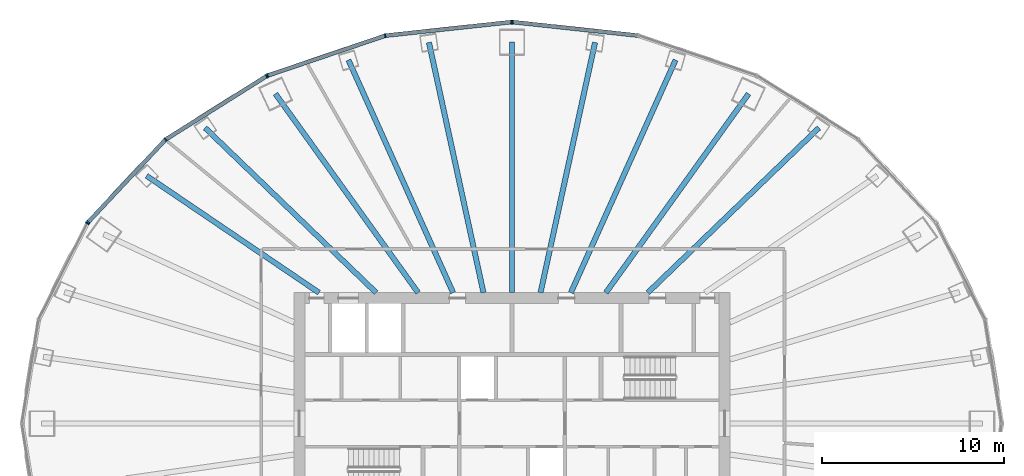
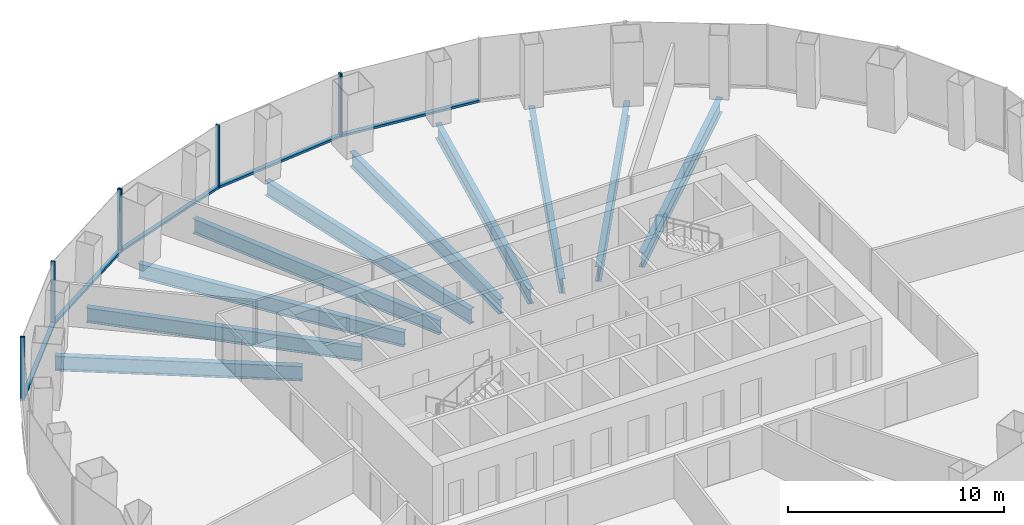
# One storey, part 5 of 11: 13 members, 10 beams, 4 elements without a shape of their own.
"""IFC4 building model written with IfcOpenShell, lengths in metres."""

from ifc_helpers import new_model, si_unit, direction, frame, origin, origin_2d, place, context, subcontext, project, spatial, rectangle, i_section, extrude, material, layer, layer_set, material_profile, profile_set, type_object, element, aggregate, save


model = new_model("IFC4")

# Units and contexts
model_context = context("Model", 3, precision=1e-05, world=origin(), true_north=direction((0.0, 1.0)))
body_context = subcontext(model_context, "Body", "Model", "MODEL_VIEW")
ifc_project = project(units=[si_unit("LENGTHUNIT", "METRE"), si_unit("AREAUNIT", "SQUARE_METRE"), si_unit("VOLUMEUNIT", "CUBIC_METRE"), si_unit("PLANEANGLEUNIT", "RADIAN"), si_unit("MASSUNIT", "GRAM", prefix="KILO")], contexts=[model_context])

# Site, building, storey
site_placement = place(None, origin())
site = spatial("IfcSite", under=ifc_project, at=site_placement, CompositionType="ELEMENT")
building_placement = place(site_placement, origin())
building = spatial("IfcBuilding", under=site, at=building_placement, Name="Siaravel Broadcast Tower", CompositionType="ELEMENT")
storey_placement = place(building_placement, frame((0.0, 0.0, 74.10009765625)))
storey = spatial("IfcBuildingStorey", under=building, at=storey_placement, Name="L17", CompositionType="ELEMENT", Elevation=74.10009765625)

# Beams
ifc_material_1 = material(Name="Steel S355", Category="steel")
ifc_material_profile_1 = material_profile(ifc_material_1, i_section(OverallWidth=0.291748046875, OverallDepth=0.8349609375, WebThickness=0.013916015625, FlangeThickness=0.018798828125, FilletRadius=0.017822265625, at=origin_2d()))
ifc_profile_set_1 = profile_set([ifc_material_profile_1], Name="Steel S355")
beam_type = type_object("IfcBeamType", Name="BM-UB 838x292x176", PredefinedType="BEAM", material=ifc_profile_set_1)
beam_1_placement = place(storey_placement, frame((16.8876953125, 16.2685546875, -0.567626953125), z_axis=(-0.720179523, -0.693787759, 0.0), x_axis=(0.693787759, -0.720179523, 0.0)))
element("IfcBeam", 1, at=beam_1_placement, inside=storey, type_object=beam_type, Name="Radial beam RB06", PredefinedType="BEAM", context=body_context, shape_type="SweptSolid", body=[
    extrude(i_section(OverallWidth=0.291748046875, OverallDepth=0.8349609375, WebThickness=0.013916015625, FlangeThickness=0.018798828125, FilletRadius=0.017822265625, at=origin_2d()), origin(), (0.0, 0.0, 1.0), 13.071044921875),
])
beam_2_placement = place(storey_placement, frame((13.0185546875, 18.142822265625, -0.567626953125), z_axis=(-0.582992686, -0.812477401, 0.0), x_axis=(0.812477401, -0.582992686, 0.0)))
element("IfcBeam", 2, at=beam_2_placement, inside=storey, type_object=beam_type, Name="Radial beam RB07", PredefinedType="BEAM", context=body_context, shape_type="SweptSolid", body=[
    extrude(i_section(OverallWidth=0.291748046875, OverallDepth=0.8349609375, WebThickness=0.013916015625, FlangeThickness=0.018798828125, FilletRadius=0.017822265625, at=origin_2d()), origin(), (0.0, 0.0, 1.0), 13.468505859375),
])
beam_3_placement = place(storey_placement, frame((8.998291015625, 19.998291015625, -0.567626953125), z_axis=(-0.410337191, -0.911933874, 0.0), x_axis=(0.911933874, -0.410337191, 0.0)))
element("IfcBeam", 3, at=beam_3_placement, inside=storey, type_object=beam_type, Name="Radial beam RB08", PredefinedType="BEAM", context=body_context, shape_type="SweptSolid", body=[
    extrude(i_section(OverallWidth=0.291748046875, OverallDepth=0.8349609375, WebThickness=0.013916015625, FlangeThickness=0.018798828125, FilletRadius=0.017822265625, at=origin_2d()), origin(), (0.0, 0.0, 1.0), 14.0341796875),
])
beam_4_placement = place(storey_placement, frame((4.5703125, 20.97021484375, -0.567626953125), z_axis=(-0.212950302, -0.977063032, 0.0), x_axis=(0.977063032, -0.212950302, 0.0)))
element("IfcBeam", 4, at=beam_4_placement, inside=storey, type_object=beam_type, Name="Radial beam RB09", PredefinedType="BEAM", context=body_context, shape_type="SweptSolid", body=[
    extrude(i_section(OverallWidth=0.291748046875, OverallDepth=0.8349609375, WebThickness=0.013916015625, FlangeThickness=0.018798828125, FilletRadius=0.017822265625, at=origin_2d()), origin(), (0.0, 0.0, 1.0), 14.093505859375),
])
beam_5_placement = place(storey_placement, frame((0.0, 20.997802734375, -0.567626953125), z_axis=(0.0, -1.0, 0.0), x_axis=(1.0, 0.0, 0.0)))
element("IfcBeam", 5, at=beam_5_placement, inside=storey, type_object=beam_type, Name="Radial beam RB10", PredefinedType="BEAM", context=body_context, shape_type="SweptSolid", body=[
    extrude(i_section(OverallWidth=0.291748046875, OverallDepth=0.8349609375, WebThickness=0.013916015625, FlangeThickness=0.018798828125, FilletRadius=0.017822265625, at=origin_2d()), origin(), (0.0, 0.0, 1.0), 13.7978515625),
])
beam_6_placement = place(storey_placement, frame((-4.5703125, 20.97021484375, -0.567626953125), z_axis=(0.212950302, -0.977063032, 0.0), x_axis=(0.977063032, 0.212950302, 0.0)))
element("IfcBeam", 6, at=beam_6_placement, inside=storey, type_object=beam_type, Name="Radial beam RB11", PredefinedType="BEAM", context=body_context, shape_type="SweptSolid", body=[
    extrude(i_section(OverallWidth=0.291748046875, OverallDepth=0.8349609375, WebThickness=0.013916015625, FlangeThickness=0.018798828125, FilletRadius=0.017822265625, at=origin_2d()), origin(), (0.0, 0.0, 1.0), 14.093505859375),
])
beam_7_placement = place(storey_placement, frame((-8.998291015625, 19.998291015625, -0.567626953125), z_axis=(0.410337191, -0.911933874, 0.0), x_axis=(0.911933874, 0.410337191, 0.0)))
element("IfcBeam", 7, at=beam_7_placement, inside=storey, type_object=beam_type, Name="Radial beam RB12", PredefinedType="BEAM", context=body_context, shape_type="SweptSolid", body=[
    extrude(i_section(OverallWidth=0.291748046875, OverallDepth=0.8349609375, WebThickness=0.013916015625, FlangeThickness=0.018798828125, FilletRadius=0.017822265625, at=origin_2d()), origin(), (0.0, 0.0, 1.0), 14.0341796875),
])
beam_8_placement = place(storey_placement, frame((-13.0185546875, 18.142822265625, -0.567626953125), z_axis=(0.582992686, -0.812477401, 0.0), x_axis=(0.812477401, 0.582992686, 0.0)))
element("IfcBeam", 8, at=beam_8_placement, inside=storey, type_object=beam_type, Name="Radial beam RB13", PredefinedType="BEAM", context=body_context, shape_type="SweptSolid", body=[
    extrude(i_section(OverallWidth=0.291748046875, OverallDepth=0.8349609375, WebThickness=0.013916015625, FlangeThickness=0.018798828125, FilletRadius=0.017822265625, at=origin_2d()), origin(), (0.0, 0.0, 1.0), 13.468505859375),
])
beam_9_placement = place(storey_placement, frame((-16.8876953125, 16.2685546875, -0.567626953125), z_axis=(0.720179523, -0.693787759, 0.0), x_axis=(0.693787759, 0.720179523, 0.0)))
element("IfcBeam", 9, at=beam_9_placement, inside=storey, type_object=beam_type, Name="Radial beam RB14", PredefinedType="BEAM", context=body_context, shape_type="SweptSolid", body=[
    extrude(i_section(OverallWidth=0.291748046875, OverallDepth=0.8349609375, WebThickness=0.013916015625, FlangeThickness=0.018798828125, FilletRadius=0.017822265625, at=origin_2d()), origin(), (0.0, 0.0, 1.0), 13.071044921875),
])
beam_10_placement = place(storey_placement, frame((-20.107177734375, 13.631591796875, -0.567626953125), z_axis=(0.82771923, -0.561142474, 0.0), x_axis=(0.561142474, 0.82771923, 0.0)))
element("IfcBeam", 10, at=beam_10_placement, inside=storey, type_object=beam_type, Name="Radial beam RB15", PredefinedType="BEAM", context=body_context, shape_type="SweptSolid", body=[
    extrude(i_section(OverallWidth=0.291748046875, OverallDepth=0.8349609375, WebThickness=0.013916015625, FlangeThickness=0.018798828125, FilletRadius=0.017822265625, at=origin_2d()), origin(), (0.0, 0.0, 1.0), 11.461669921875),
])

# Curtain wall, member
ifc_material_2 = material(Name="Aluminium 6063-T6", Category="aluminium")
ifc_layer = layer(ifc_material_2, 0.219970703125)
ifc_layer_set = layer_set([ifc_layer], Name="Aluminium 6063-T6")
curtain_wall_type = type_object("IfcCurtainWallType", Name="Unitised curtain wall, zone 1", PredefinedType="NOTDEFINED", material=ifc_layer_set)
curtain_wall_1_placement = place(storey_placement, origin())
curtain_wall_1 = element("IfcCurtainWall", 11, at=curtain_wall_1_placement, inside=storey, type_object=curtain_wall_type, Name="L17 Unitised curtain wall, zone 1 03", PredefinedType="NOTDEFINED")
ifc_material_profile_2 = material_profile(ifc_material_2, rectangle(XDim=0.219970703125, YDim=0.070068359375, at=origin_2d()))
ifc_profile_set_2 = profile_set([ifc_material_profile_2], Name="Aluminium 6063-T6")
member_type_1 = type_object("IfcMemberType", Name="CW-Z1 mullion", PredefinedType="MULLION", material=ifc_profile_set_2)
member_1_placement = place(storey_placement, frame((0.034912109375, 22.091552734375, 0.0), z_axis=(0.0, 0.0, 1.0), x_axis=(-0.107217679, -0.99423557, 0.0)))
member_1 = element("IfcMember", 12, at=member_1_placement, type_object=member_type_1, Name="CW-Z1 mullion 3", PredefinedType="MULLION", context=body_context, shape_type="SweptSolid", body=[
    extrude(rectangle(XDim=0.219970703125, YDim=0.070068359375, at=origin_2d()), origin(), (0.0, 0.0, 1.0), 3.5498046875),
])

# Curtain wall, members
curtain_wall_2_placement = place(storey_placement, origin())
curtain_wall_2 = element("IfcCurtainWall", 13, at=curtain_wall_2_placement, inside=storey, type_object=curtain_wall_type, Name="L17 Unitised curtain wall, zone 1 04", PredefinedType="NOTDEFINED")
member_2_placement = place(storey_placement, frame((-0.034912109375, 22.091552734375, 0.0), z_axis=(0.0, 0.0, 1.0), x_axis=(0.107217679, -0.99423557, 0.0)))
member_2 = element("IfcMember", 14, at=member_2_placement, type_object=member_type_1, Name="CW-Z1 mullion 1", PredefinedType="MULLION", context=body_context, shape_type="SweptSolid", body=[
    extrude(rectangle(XDim=0.219970703125, YDim=0.070068359375, at=origin_2d()), origin(), (0.0, 0.0, 1.0), 3.5498046875),
])
member_3_placement = place(storey_placement, frame((-6.9765625, 21.343017578125, 0.0), z_axis=(0.0, 0.0, 1.0), x_axis=(0.21555841, -0.976490948, 0.0)))
member_3 = element("IfcMember", 15, at=member_3_placement, type_object=member_type_1, Name="CW-Z1 mullion 2", PredefinedType="MULLION", context=body_context, shape_type="SweptSolid", body=[
    extrude(rectangle(XDim=0.219970703125, YDim=0.070068359375, at=origin_2d()), origin(), (0.0, 0.0, 1.0), 3.5498046875),
])
member_4_placement = place(storey_placement, frame((-13.445068359375, 19.148193359375, 0.0), z_axis=(0.0, 0.0, 1.0), x_axis=(0.321301105, -0.946977085, 0.0)))
member_4 = element("IfcMember", 16, at=member_4_placement, type_object=member_type_1, Name="CW-Z1 mullion 3", PredefinedType="MULLION", context=body_context, shape_type="SweptSolid", body=[
    extrude(rectangle(XDim=0.219970703125, YDim=0.070068359375, at=origin_2d()), origin(), (0.0, 0.0, 1.0), 3.5498046875),
])

curtain_wall_3_placement = place(storey_placement, origin())
curtain_wall_3 = element("IfcCurtainWall", 17, at=curtain_wall_3_placement, inside=storey, type_object=curtain_wall_type, Name="L17 Unitised curtain wall, zone 1 05", PredefinedType="NOTDEFINED")
member_5_placement = place(storey_placement, frame((-13.5078125, 19.118408203125, 0.0), z_axis=(0.0, 0.0, 1.0), x_axis=(0.532149761, -0.846650242, 0.0)))
member_5 = element("IfcMember", 18, at=member_5_placement, type_object=member_type_1, Name="CW-Z1 mullion 1", PredefinedType="MULLION", context=body_context, shape_type="SweptSolid", body=[
    extrude(rectangle(XDim=0.219970703125, YDim=0.070068359375, at=origin_2d()), origin(), (0.0, 0.0, 1.0), 3.5498046875),
])
member_6_placement = place(storey_placement, frame((-19.0625, 15.627197265625, 0.0), z_axis=(0.0, 0.0, 1.0), x_axis=(0.63621907, -0.771508454, 0.0)))
member_6 = element("IfcMember", 19, at=member_6_placement, type_object=member_type_1, Name="CW-Z1 mullion 2", PredefinedType="MULLION", context=body_context, shape_type="SweptSolid", body=[
    extrude(rectangle(XDim=0.219970703125, YDim=0.070068359375, at=origin_2d()), origin(), (0.0, 0.0, 1.0), 3.5498046875),
])
member_7_placement = place(storey_placement, frame((-23.32470703125, 11.076904296875, 0.0), z_axis=(0.0, 0.0, 1.0), x_axis=(0.729805583, -0.683654746, 0.0)))
member_7 = element("IfcMember", 20, at=member_7_placement, type_object=member_type_1, Name="CW-Z1 mullion 3", PredefinedType="MULLION", context=body_context, shape_type="SweptSolid", body=[
    extrude(rectangle(XDim=0.219970703125, YDim=0.070068359375, at=origin_2d()), origin(), (0.0, 0.0, 1.0), 3.5498046875),
])

# Curtain wall, member
curtain_wall_4_placement = place(storey_placement, origin())
curtain_wall_4 = element("IfcCurtainWall", 21, at=curtain_wall_4_placement, inside=storey, type_object=curtain_wall_type, Name="L17 Unitised curtain wall, zone 1 06", PredefinedType="NOTDEFINED")
member_8_placement = place(storey_placement, frame((-23.364501953125, 11.020263671875, 0.0), z_axis=(0.0, 0.0, 1.0), x_axis=(0.892392184, -0.451260668, 0.0)))
member_8 = element("IfcMember", 22, at=member_8_placement, type_object=member_type_1, Name="CW-Z1 mullion 1", PredefinedType="MULLION", context=body_context, shape_type="SweptSolid", body=[
    extrude(rectangle(XDim=0.219970703125, YDim=0.070068359375, at=origin_2d()), origin(), (0.0, 0.0, 1.0), 3.5498046875),
])
aggregate(curtain_wall_4, [member_8])

# Member
ifc_material_profile_3 = material_profile(ifc_material_2, rectangle(XDim=0.219970703125, YDim=0.1201171875, at=origin_2d()))
ifc_profile_set_3 = profile_set([ifc_material_profile_3], Name="Aluminium 6063-T6")
member_type_2 = type_object("IfcMemberType", Name="CW-Z1 transom", PredefinedType="USERDEFINED", material=ifc_profile_set_3)
member_9_placement = place(storey_placement, frame((6.941650390625, 21.3466796875, 0.059814453125), z_axis=(-0.99423354, 0.107236501, 0.0), x_axis=(-0.107236501, -0.99423354, 0.0)))
member_9 = element("IfcMember", 23, at=member_9_placement, type_object=member_type_2, Name="CW-Z1 transom 2", ObjectType="TRANSOM", PredefinedType="USERDEFINED", context=body_context, shape_type="SweptSolid", body=[
    extrude(rectangle(XDim=0.219970703125, YDim=0.1201171875, at=origin_2d()), origin(), (0.0, 0.0, 1.0), 6.911865234375),
])

aggregate(curtain_wall_1, [member_1, member_9])

member_10_placement = place(storey_placement, frame((-0.069580078125, 22.087890625, 0.059814453125), z_axis=(-0.99423354, -0.107236501, 0.0), x_axis=(0.107236501, -0.99423354, 0.0)))
member_10 = element("IfcMember", 24, at=member_10_placement, type_object=member_type_2, Name="CW-Z1 transom 1", ObjectType="TRANSOM", PredefinedType="USERDEFINED", context=body_context, shape_type="SweptSolid", body=[
    extrude(rectangle(XDim=0.219970703125, YDim=0.1201171875, at=origin_2d()), origin(), (0.0, 0.0, 1.0), 6.911865234375),
])

member_11_placement = place(storey_placement, frame((-7.009521484375, 21.331787109375, 0.059814453125), z_axis=(-0.946972422, -0.321314849, 0.0), x_axis=(0.321314849, -0.946972422, 0.0)))
member_11 = element("IfcMember", 25, at=member_11_placement, type_object=member_type_2, Name="CW-Z1 transom 2", ObjectType="TRANSOM", PredefinedType="USERDEFINED", context=body_context, shape_type="SweptSolid", body=[
    extrude(rectangle(XDim=0.219970703125, YDim=0.1201171875, at=origin_2d()), origin(), (0.0, 0.0, 1.0), 6.7607421875),
])

aggregate(curtain_wall_2, [member_2, member_3, member_4, member_10, member_11])

member_12_placement = place(storey_placement, frame((-13.537353515625, 19.099609375, 0.059814453125), z_axis=(-0.846662211, -0.532130717, 0.0), x_axis=(0.532130717, -0.846662211, 0.0)))
member_12 = element("IfcMember", 26, at=member_12_placement, type_object=member_type_2, Name="CW-Z1 transom 1", ObjectType="TRANSOM", PredefinedType="USERDEFINED", context=body_context, shape_type="SweptSolid", body=[
    extrude(rectangle(XDim=0.219970703125, YDim=0.1201171875, at=origin_2d()), origin(), (0.0, 0.0, 1.0), 6.49072265625),
])

member_13_placement = place(storey_placement, frame((-19.08642578125, 15.6015625, 0.059814453125), z_axis=(-0.683640708, -0.729818733, 0.0), x_axis=(0.729818733, -0.683640708, 0.0)))
member_13 = element("IfcMember", 27, at=member_13_placement, type_object=member_type_2, Name="CW-Z1 transom 2", ObjectType="TRANSOM", PredefinedType="USERDEFINED", context=body_context, shape_type="SweptSolid", body=[
    extrude(rectangle(XDim=0.219970703125, YDim=0.1201171875, at=origin_2d()), origin(), (0.0, 0.0, 1.0), 6.16455078125),
])

aggregate(curtain_wall_3, [member_5, member_6, member_7, member_12, member_13])

save(model, "model.ifc")
